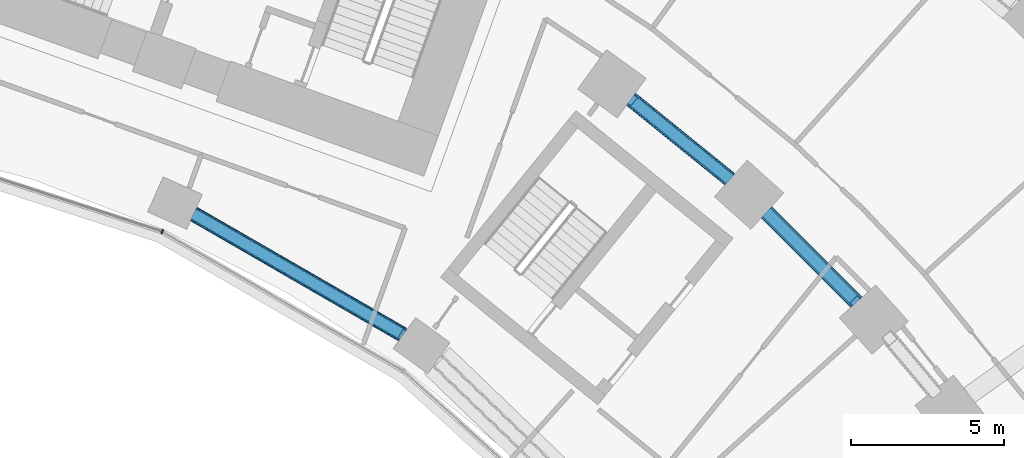
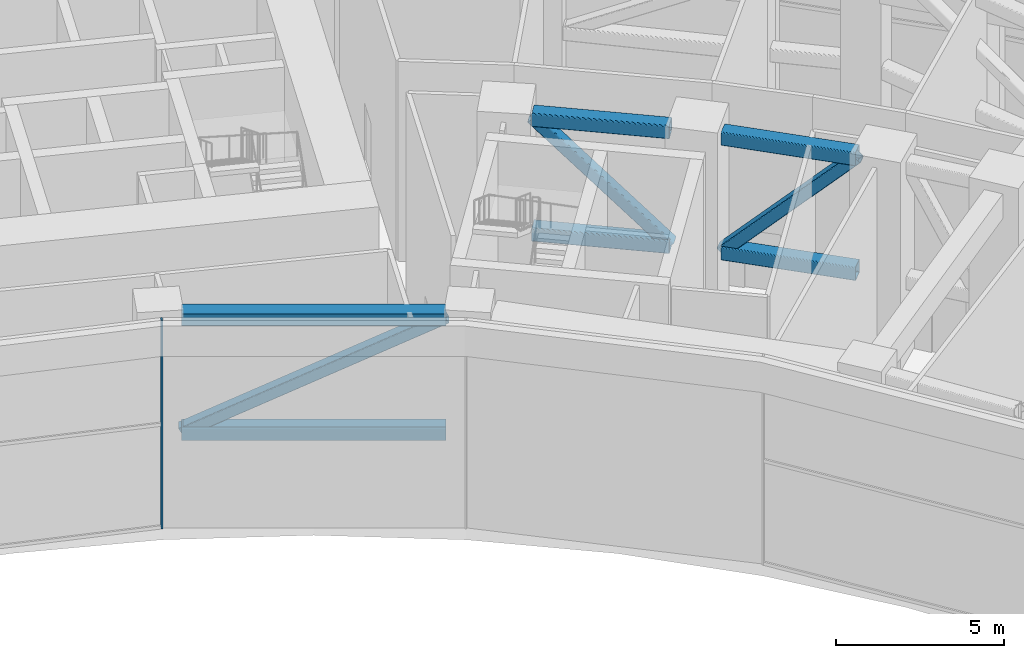
# One storey, part 11 of 33: 10 members, 1 element without a shape of its own.
"""IFC4 building model written with IfcOpenShell, lengths in metres."""

from ifc_helpers import new_model, si_unit, direction, frame, origin, origin_2d, place, context, subcontext, project, spatial, rectangle, hollow_rectangle, extrude, material, layer, layer_set, material_profile, profile_set, type_object, element, aggregate, save


model = new_model("IFC4")

# Units and contexts
model_context = context("Model", 3, precision=1e-05, world=origin(), true_north=direction((0.0, 1.0)))
body_context = subcontext(model_context, "Body", "Model", "MODEL_VIEW")
ifc_project = project(units=[si_unit("LENGTHUNIT", "METRE"), si_unit("AREAUNIT", "SQUARE_METRE"), si_unit("VOLUMEUNIT", "CUBIC_METRE"), si_unit("PLANEANGLEUNIT", "RADIAN"), si_unit("MASSUNIT", "GRAM", prefix="KILO")], contexts=[model_context])

# Site, building, storey
site_placement = place(None, origin())
site = spatial("IfcSite", under=ifc_project, at=site_placement, CompositionType="ELEMENT")
building_placement = place(site_placement, origin())
building = spatial("IfcBuilding", under=site, at=building_placement, Name="Stone Belt Terrace Tower", CompositionType="ELEMENT")
storey_placement = place(building_placement, frame((0.0, 0.0, 79.39990234375)))
storey = spatial("IfcBuildingStorey", under=building, at=storey_placement, Name="L19", CompositionType="ELEMENT", Elevation=79.39990234375)

# Curtain wall, member
ifc_material_1 = material(Name="Aluminium 6063-T6 anodised frame", Category="aluminium")
ifc_layer = layer(ifc_material_1, 0.14990234375)
ifc_layer_set = layer_set([ifc_layer], Name="CW-B unitised concave-face curtain wall")
curtain_wall_type = type_object("IfcCurtainWallType", Name="CW-B unitised concave-face curtain wall", PredefinedType="NOTDEFINED", material=ifc_layer_set)
curtain_wall_placement = place(storey_placement, origin())
curtain_wall = element("IfcCurtainWall", 1, at=curtain_wall_placement, inside=storey, type_object=curtain_wall_type, Name="CW-B concave face L19", PredefinedType="NOTDEFINED")
ifc_material_profile_1 = material_profile(ifc_material_1, rectangle(XDim=0.14990234375, YDim=0.050048828125, at=origin_2d()), Name="Aluminium 6063-T6 50x150")
ifc_profile_set_1 = profile_set([ifc_material_profile_1], Name="Aluminium 6063-T6 anodised frame")
member_type_1 = type_object("IfcMemberType", Name="CW-B mullion 50 x 150", PredefinedType="MULLION", material=ifc_profile_set_1)
member_1_placement = place(storey_placement, frame((17.662353515625, 39.67041015625, 0.0), z_axis=(0.0, 0.0, 1.0), x_axis=(0.406736643076, 0.913545457643, 0.0)))
member_1 = element("IfcMember", 2, at=member_1_placement, type_object=member_type_1, Name="CW-B mullion 8", PredefinedType="MULLION", context=body_context, shape_type="SweptSolid", body=[
    extrude(rectangle(XDim=0.14990234375, YDim=0.050048828125, at=origin_2d()), origin(), (0.0, 0.0, 1.0), 7.60009765625),
])
aggregate(curtain_wall, [member_1])

# Members
ifc_material_2 = material(Name="Structural steel C345", Category="steel")
ifc_material_profile_2 = material_profile(ifc_material_2, hollow_rectangle(XDim=0.5, YDim=0.5, WallThickness=0.02001953125, InnerFilletRadius=0.0400390625, OuterFilletRadius=0.06005859375, at=origin_2d()), Name="SHS 500x500x20")
ifc_profile_set_2 = profile_set([ifc_material_profile_2], Name="Structural steel C345")
member_type_2 = type_object("IfcMemberType", Name="Outrigger chord SHS 500x500x20", PredefinedType="CHORD", material=ifc_profile_set_2)
for number, where, z_axis, x_axis, name in (
    (3, (25.5146484375, 36.30859375, 7.030029296875), (-0.866027785622, 0.499995874514, 0.0), (-0.499995874514, -0.866027785622, 0.0), "Outrigger T1 Pe top chord 3"),
    (4, (25.5146484375, 36.30859375, 2.85009765625), (-0.866027785622, 0.499995874514, 0.0), (-0.499995874514, -0.866027785622, 0.0), "Outrigger T1 Pe bot chord 3"),
):
    element("IfcMember", number, at=place(storey_placement, frame(where, z_axis=z_axis, x_axis=x_axis)), inside=storey, type_object=member_type_2, Name=name, PredefinedType="CHORD", context=body_context, shape_type="SweptSolid", body=[
        extrude(hollow_rectangle(XDim=0.5, YDim=0.5, WallThickness=0.02001953125, InnerFilletRadius=0.0400390625, OuterFilletRadius=0.06005859375, at=origin_2d()), origin(), (0.0, 0.0, 1.0), 7.8837890625),
    ])
for number, where, z_axis, x_axis, name in (
    (5, (40.306396484375, 37.36865234375, 7.030029296875), (-0.707106781187, 0.707106781187, 0.0), (-0.707106781187, -0.707106781187, 0.0), "Outrigger T1 Qe top chord 3"),
    (6, (40.306396484375, 37.36865234375, 2.85009765625), (-0.707106781187, 0.707106781187, 0.0), (-0.707106781187, -0.707106781187, 0.0), "Outrigger T1 Qe bot chord 3"),
):
    element("IfcMember", number, at=place(storey_placement, frame(where, z_axis=z_axis, x_axis=x_axis)), inside=storey, type_object=member_type_2, Name=name, PredefinedType="CHORD", context=body_context, shape_type="SweptSolid", body=[
        extrude(hollow_rectangle(XDim=0.5, YDim=0.5, WallThickness=0.02001953125, InnerFilletRadius=0.0400390625, OuterFilletRadius=0.06005859375, at=origin_2d()), origin(), (0.0, 0.0, 1.0), 4.154541015625),
    ])
for number, where, z_axis, x_axis, name in (
    (7, (36.1796875, 41.377197265625, 7.030029296875), (-0.777180550899, 0.629277674246, 0.0), (-0.629277674246, -0.777180550899, 0.0), "Outrigger T1 Qe top chord 4"),
    (8, (36.1796875, 41.377197265625, 2.85009765625), (-0.777180550899, 0.629277674246, 0.0), (-0.629277674246, -0.777180550899, 0.0), "Outrigger T1 Qe bot chord 4"),
):
    element("IfcMember", number, at=place(storey_placement, frame(where, z_axis=z_axis, x_axis=x_axis)), inside=storey, type_object=member_type_2, Name=name, PredefinedType="CHORD", context=body_context, shape_type="SweptSolid", body=[
        extrude(hollow_rectangle(XDim=0.5, YDim=0.5, WallThickness=0.02001953125, InnerFilletRadius=0.0400390625, OuterFilletRadius=0.06005859375, at=origin_2d()), origin(), (0.0, 0.0, 1.0), 4.15478515625),
    ])
ifc_material_profile_3 = material_profile(ifc_material_2, hollow_rectangle(XDim=0.39990234375, YDim=0.39990234375, WallThickness=0.01611328125, InnerFilletRadius=0.031982421875, OuterFilletRadius=0.048095703125, at=origin_2d()), Name="SHS 400x400x16")
ifc_profile_set_3 = profile_set([ifc_material_profile_3], Name="Structural steel C345")
member_type_3 = type_object("IfcMemberType", Name="Outrigger diagonal SHS 400x400x16", PredefinedType="BRACE", material=ifc_profile_set_3)
member_2_placement = place(storey_placement, frame((25.5146484375, 36.30859375, 7.030029296875), z_axis=(-0.765138881313, 0.441748279256, -0.468423899984), x_axis=(-0.499995874514, -0.866027785622, 0.0)))
element("IfcMember", 9, at=member_2_placement, inside=storey, type_object=member_type_3, Name="Outrigger T1 Pe diagonal 3", PredefinedType="BRACE", context=body_context, shape_type="SweptSolid", body=[
    extrude(hollow_rectangle(XDim=0.39990234375, YDim=0.39990234375, WallThickness=0.01611328125, InnerFilletRadius=0.031982421875, OuterFilletRadius=0.048095703125, at=origin_2d()), origin(), (0.0, 0.0, 1.0), 8.92333984375),
])
member_3_placement = place(storey_placement, frame((40.306396484375, 37.36865234375, 7.030029296875), z_axis=(-0.498477873231, 0.498477873231, -0.709252860267), x_axis=(-0.707106781187, -0.707106781187, 0.0)))
element("IfcMember", 10, at=member_3_placement, inside=storey, type_object=member_type_3, Name="Outrigger T1 Qe diagonal 3", PredefinedType="BRACE", context=body_context, shape_type="SweptSolid", body=[
    extrude(hollow_rectangle(XDim=0.39990234375, YDim=0.39990234375, WallThickness=0.01611328125, InnerFilletRadius=0.031982421875, OuterFilletRadius=0.048095703125, at=origin_2d()), origin(), (0.0, 0.0, 1.0), 5.893310546875),
])
member_4_placement = place(storey_placement, frame((36.1796875, 41.377197265625, 2.85009765625), z_axis=(-0.547887889, 0.443621004333, 0.709238511082), x_axis=(-0.629277674246, -0.777180550899, 0.0)))
element("IfcMember", 11, at=member_4_placement, inside=storey, type_object=member_type_3, Name="Outrigger T1 Qe diagonal 4", PredefinedType="BRACE", context=body_context, shape_type="SweptSolid", body=[
    extrude(hollow_rectangle(XDim=0.39990234375, YDim=0.39990234375, WallThickness=0.01611328125, InnerFilletRadius=0.031982421875, OuterFilletRadius=0.048095703125, at=origin_2d()), origin(), (0.0, 0.0, 1.0), 5.8935546875),
])

save(model, "model.ifc")
